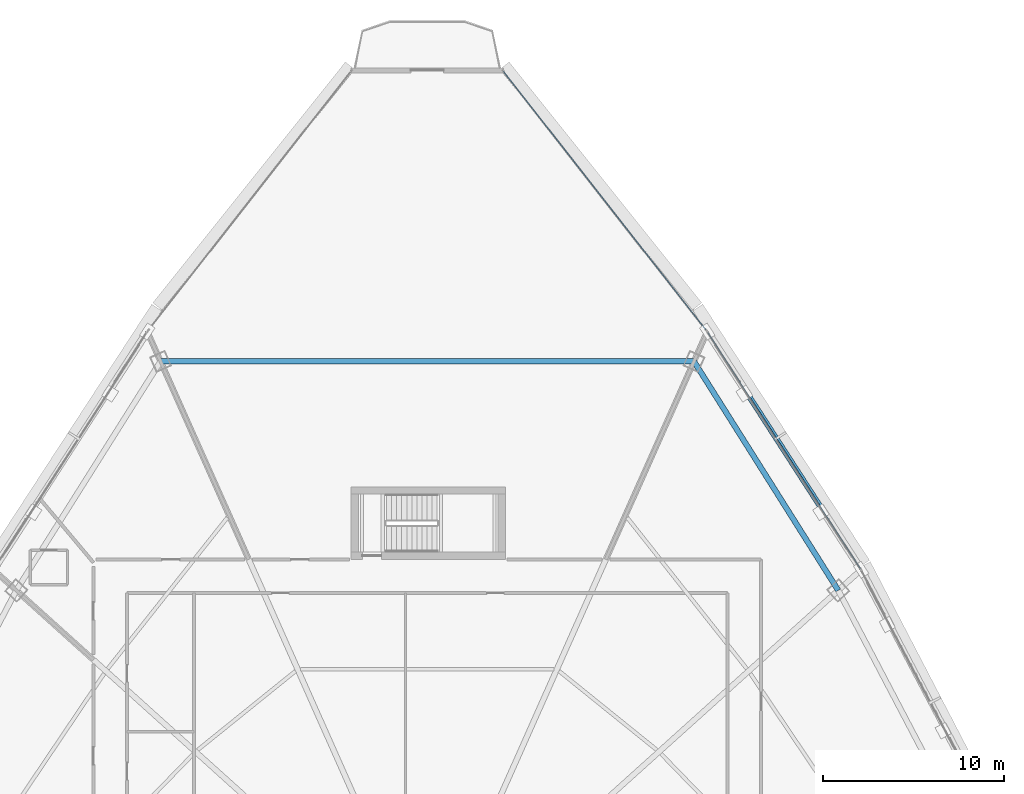
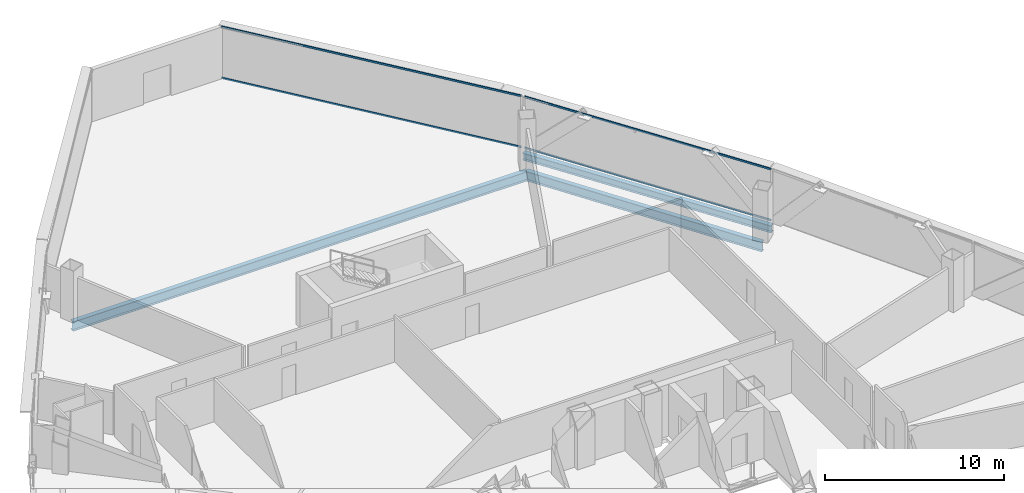
# One storey, part 21 of 37: 4 members, 3 beams, 2 elements without a shape of their own.
"""IFC4 building model written with IfcOpenShell, lengths in metres."""

from ifc_helpers import new_model, si_unit, direction, frame, origin, origin_2d, place, context, subcontext, project, spatial, hollow_rectangle, i_section, extrude, source, transform, mapped, material, layer, layer_set, material_profile, profile_set, type_object, element, aggregate, save


model = new_model("IFC4")

# Units and contexts
model_context = context("Model", 3, precision=1e-05, world=origin(), true_north=direction((0.0, 1.0)))
body_context = subcontext(model_context, "Body", "Model", "MODEL_VIEW")
ifc_project = project(units=[si_unit("LENGTHUNIT", "METRE"), si_unit("AREAUNIT", "SQUARE_METRE"), si_unit("VOLUMEUNIT", "CUBIC_METRE"), si_unit("PLANEANGLEUNIT", "RADIAN"), si_unit("MASSUNIT", "GRAM", prefix="KILO"), si_unit("THERMODYNAMICTEMPERATUREUNIT", "KELVIN"), si_unit("POWERUNIT", "WATT")], contexts=[model_context])

# Site, building, storey
site_placement = place(None, origin())
site = spatial("IfcSite", under=ifc_project, at=site_placement, CompositionType="ELEMENT")
building_placement = place(site_placement, origin())
building = spatial("IfcBuilding", under=site, at=building_placement, Name="Yunzhuo Pagoda Commons", CompositionType="ELEMENT")
storey_placement = place(building_placement, frame((0.0, 0.0, 207.56005859375)))
storey = spatial("IfcBuildingStorey", under=building, at=storey_placement, Name="L52", CompositionType="ELEMENT", Elevation=207.56005859375)

# Beams
ifc_material_1 = material(Name="Structural steel Q355B", Category="steel")
ifc_material_profile_1 = material_profile(ifc_material_1, i_section(OverallWidth=0.300048828125, OverallDepth=0.64990234375, WebThickness=0.012939453125, FlangeThickness=0.02197265625, at=origin_2d()), Name="Structural steel Q355B")
ifc_profile_set_1 = profile_set([ifc_material_profile_1], Name="Structural steel Q355B")
beam_type_1 = type_object("IfcBeamType", Name="B-RG2 Beam HN 650x300x13x22", PredefinedType="BEAM", material=ifc_profile_set_1)
shared_shape_1 = source(origin(), body_context, "Body", "SweptSolid", [
    extrude(i_section(OverallWidth=0.300048828125, OverallDepth=0.64990234375, WebThickness=0.012939453125, FlangeThickness=0.02197265625, at=origin_2d()), origin(), (0.0, 0.0, 1.0), 14.916015625),
])
beam_1_placement = place(storey_placement, frame((70.650634765625, 54.0947265625, -0.5849609375), z_axis=(-0.533092374013, 0.846057043449, 0.0), x_axis=(-0.846057043449, -0.533092374013, 0.0)))
element("IfcBeam", 1, at=beam_1_placement, inside=storey, type_object=beam_type_1, Name="L52 column-ring beam 7", PredefinedType="BEAM", context=body_context, shape_type="MappedRepresentation", body=[
    mapped(shared_shape_1, transform((0.0, 0.0, 0.0), scale=1.0)),
])
shared_shape_2 = source(origin(), body_context, "Body", "SweptSolid", [
    extrude(i_section(OverallWidth=0.300048828125, OverallDepth=0.64990234375, WebThickness=0.012939453125, FlangeThickness=0.02197265625, at=origin_2d()), origin(), (0.0, 0.0, 1.0), 29.39794921875),
])
beam_2_placement = place(storey_placement, frame((62.698974609375, 66.714599609375, -0.5849609375), z_axis=(-1.0, 0.0, 0.0), x_axis=(0.0, -1.0, 0.0)))
element("IfcBeam", 2, at=beam_2_placement, inside=storey, type_object=beam_type_1, Name="L52 column-ring beam 8", PredefinedType="BEAM", context=body_context, shape_type="MappedRepresentation", body=[
    mapped(shared_shape_2, transform((0.0, 0.0, 0.0), scale=1.0)),
])
ifc_material_profile_2 = material_profile(ifc_material_1, i_section(OverallWidth=0.300048828125, OverallDepth=0.488037109375, WebThickness=0.010986328125, FlangeThickness=0.01806640625, at=origin_2d()), Name="Structural steel Q355B")
ifc_profile_set_2 = profile_set([ifc_material_profile_2], Name="Structural steel Q355B")
beam_type_2 = type_object("IfcBeamType", Name="B-SP1 Beam HM 488x300x11x18", PredefinedType="BEAM", material=ifc_profile_set_2)
shared_shape_3 = source(origin(), body_context, "Body", "SweptSolid", [
    extrude(i_section(OverallWidth=0.300048828125, OverallDepth=0.488037109375, WebThickness=0.010986328125, FlangeThickness=0.01806640625, at=origin_2d()), origin(), (0.0, 0.0, 1.0), 15.6298828125),
])
beam_3_placement = place(storey_placement, frame((71.9130859375, 55.2314453125, -0.504150390625), z_axis=(-0.542639096157, 0.83996595843, 0.0), x_axis=(-0.83996595843, -0.542639096157, 0.0)))
element("IfcBeam", 3, at=beam_3_placement, inside=storey, type_object=beam_type_2, Name="L52 facade edge spandrel beam F2.3", PredefinedType="BEAM", context=body_context, shape_type="MappedRepresentation", body=[
    mapped(shared_shape_3, transform((0.0, 0.0, 0.0), scale=1.0)),
])

# Curtain wall, members
ifc_material_2 = material(Name="Anodized aluminium 6063-T6", Category="aluminium")
ifc_layer = layer(ifc_material_2, 0.14990234375)
ifc_layer_set = layer_set([ifc_layer], Name="Anodized aluminium 6063-T6")
curtain_wall_type = type_object("IfcCurtainWallType", Name="CW-MID Mid-Zone Ribbon Curtain Wall", PredefinedType="NOTDEFINED", material=ifc_layer_set)
curtain_wall_1_placement = place(storey_placement, origin())
curtain_wall_1 = element("IfcCurtainWall", 4, at=curtain_wall_1_placement, inside=storey, type_object=curtain_wall_type, Name="L52 curtain wall CW-L52-F2B4", PredefinedType="NOTDEFINED")
ifc_material_profile_3 = material_profile(ifc_material_2, hollow_rectangle(XDim=0.054931640625, YDim=0.1298828125, WallThickness=0.00341796875, at=origin_2d()), Name="Anodized aluminium 6063-T6")
ifc_profile_set_3 = profile_set([ifc_material_profile_3], Name="Anodized aluminium 6063-T6")
member_type = type_object("IfcMemberType", Name="CW-MID-T Transom RHS 130x55x3.5", PredefinedType="USERDEFINED", material=ifc_profile_set_3)
shared_shape_4 = source(origin(), body_context, "Body", "SweptSolid", [
    extrude(hollow_rectangle(XDim=0.054931640625, YDim=0.1298828125, WallThickness=0.00341796875, at=origin_2d()), origin(), (0.0, 0.0, 1.0), 15.510009765625),
])
member_1_placement = place(storey_placement, frame((71.880615234375, 55.281982421875, 0.02734375), z_axis=(-0.542618687263, 0.839979142737, 0.0), x_axis=(-0.839979142737, -0.542618687263, 0.0)))
member_1 = element("IfcMember", 5, at=member_1_placement, type_object=member_type, Name="CW transom 1.1", ObjectType="TRANSOM", PredefinedType="USERDEFINED", context=body_context, shape_type="MappedRepresentation", body=[
    mapped(shared_shape_4, transform((0.0, 0.0, 0.0), scale=1.0)),
])
member_2_placement = place(storey_placement, frame((71.880615234375, 55.281982421875, 3.512451171875), z_axis=(-0.542618687263, 0.839979142737, 0.0), x_axis=(-0.839979142737, -0.542618687263, 0.0)))
member_2 = element("IfcMember", 6, at=member_2_placement, type_object=member_type, Name="CW transom 1.2", ObjectType="TRANSOM", PredefinedType="USERDEFINED", context=body_context, shape_type="MappedRepresentation", body=[
    mapped(shared_shape_4, transform((0.0, 0.0, 0.0), scale=1.0)),
])
aggregate(curtain_wall_1, [member_1, member_2])

curtain_wall_2_placement = place(storey_placement, origin())
curtain_wall_2 = element("IfcCurtainWall", 7, at=curtain_wall_2_placement, inside=storey, type_object=curtain_wall_type, Name="L52 curtain wall CW-L52-F2B5", PredefinedType="NOTDEFINED")
shared_shape_5 = source(origin(), body_context, "Body", "SweptSolid", [
    extrude(hollow_rectangle(XDim=0.054931640625, YDim=0.1298828125, WallThickness=0.00341796875, at=origin_2d()), origin(), (0.0, 0.0, 1.0), 18.0888671875),
])
member_3_placement = place(storey_placement, frame((63.348388671875, 68.46630859375, 0.02734375), z_axis=(-0.616749239399, 0.787159688818, 0.0), x_axis=(-0.787159688818, -0.616749239399, 0.0)))
member_3 = element("IfcMember", 8, at=member_3_placement, type_object=member_type, Name="CW transom 1.1", ObjectType="TRANSOM", PredefinedType="USERDEFINED", context=body_context, shape_type="MappedRepresentation", body=[
    mapped(shared_shape_5, transform((0.0, 0.0, 0.0), scale=1.0)),
])
member_4_placement = place(storey_placement, frame((63.348388671875, 68.46630859375, 3.512451171875), z_axis=(-0.616749239399, 0.787159688818, 0.0), x_axis=(-0.787159688818, -0.616749239399, 0.0)))
member_4 = element("IfcMember", 9, at=member_4_placement, type_object=member_type, Name="CW transom 1.2", ObjectType="TRANSOM", PredefinedType="USERDEFINED", context=body_context, shape_type="MappedRepresentation", body=[
    mapped(shared_shape_5, transform((0.0, 0.0, 0.0), scale=1.0)),
])
aggregate(curtain_wall_2, [member_3, member_4])

save(model, "model.ifc")
